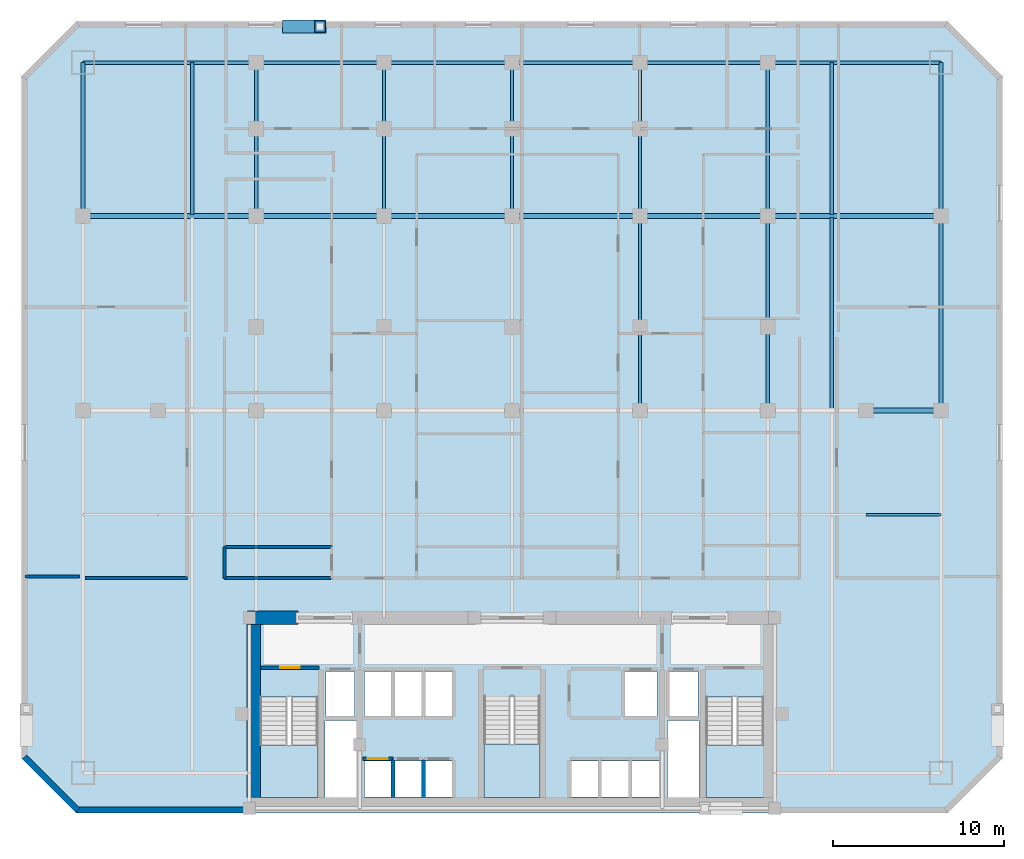
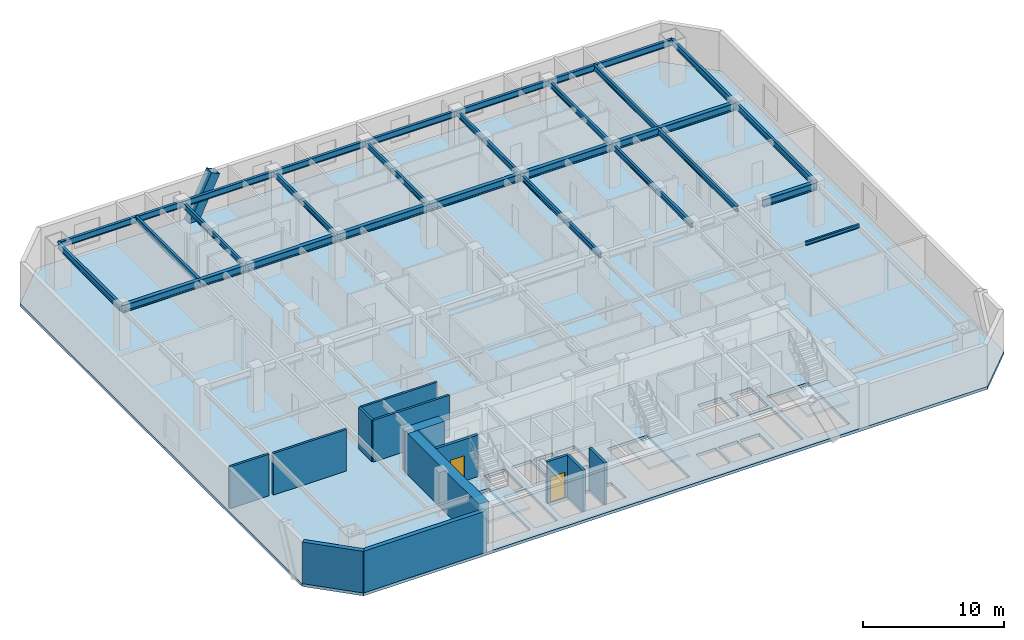
# One storey, part 2 of 8: 27 beams, 13 walls, 4 slabs, 2 doors, 1 member, 2 openings, 3 elements without a shape of their own.
"""IFC4 building model written with IfcOpenShell, lengths in metres."""

import ifcopenshell
import ifcopenshell.guid

model = None  # the IFC model being written
_history = None  # IfcOwnerHistory: only IFC2X3 demands one
_inside = {}  # id of a spatial element -> (the spatial element, [elements in it])
_under = {}  # id of a project, library or spatial element -> (it, [spatial elements below it])
_declared = {}  # id of a project -> (the project, [libraries it declares])
_typed = {}  # id of a type object -> (the type object, [elements of that type])
_made_of = {}  # id of a material, layer set ... -> (it, [elements and type objects made of it])


def new_model(schema):
    """Start an empty IFC model of exactly this schema.

    Asked for "IFC4X3", IfcOpenShell would pick the latest addendum, in which some entities
    have other attributes; the version numbers below select the first issue.
    IFC2X3 requires an IfcOwnerHistory on every rooted entity: one is made here for all.
    """
    global model, _history
    if schema == "IFC4X3":
        model = ifcopenshell.file(schema_version=(4, 3, 0, 0))
    else:
        model = ifcopenshell.file(schema=schema)
    _inside.clear()
    _under.clear()
    _declared.clear()
    _typed.clear()
    _made_of.clear()
    _history = None
    if model.schema == "IFC2X3":
        org = make("IfcOrganization", Name="unknown")
        user = make(
            "IfcPersonAndOrganization",
            ThePerson=make("IfcPerson", FamilyName="unknown"),
            TheOrganization=org,
        )
        app = make(
            "IfcApplication",
            ApplicationDeveloper=org,
            Version="unknown",
            ApplicationFullName="unknown",
            ApplicationIdentifier="unknown",
        )
        _history = make(
            "IfcOwnerHistory",
            OwningUser=user,
            OwningApplication=app,
            ChangeAction="ADDED",
            CreationDate=0,
        )
    return model


def make(cls, **values):
    """One entity of the class cls with the attributes given. An attribute that is None is left unset."""
    return model.create_entity(
        cls, **{name: value for name, value in values.items() if value is not None}
    )


def rooted(cls, **values):
    """An entity with a GlobalId (a new one), such as an element, a storey or a relation."""
    return make(cls, GlobalId=ifcopenshell.guid.new(), OwnerHistory=_history, **values)


def si_unit(unit_type, name, prefix=None):
    """IfcSIUnit, for example si_unit("LENGTHUNIT", "METRE", prefix="MILLI")."""
    return make("IfcSIUnit", UnitType=unit_type, Prefix=prefix, Name=name)


def assignment(units):
    """IfcUnitAssignment: the units of a project."""
    return None if units is None else make("IfcUnitAssignment", Units=units)


def point(xyz):
    """IfcCartesianPoint."""
    return None if xyz is None else make("IfcCartesianPoint", Coordinates=xyz)


def direction(xyz):
    """IfcDirection."""
    return None if xyz is None else make("IfcDirection", DirectionRatios=xyz)


def frame(location, z_axis=None, x_axis=None):
    """IfcAxis2Placement3D, a coordinate frame: its origin and axes. An axis left out is left unset."""
    return make(
        "IfcAxis2Placement3D",
        Location=point(location),
        Axis=direction(z_axis),
        RefDirection=direction(x_axis),
    )


def frame_2d(location, x_axis=None):
    """IfcAxis2Placement2D, a coordinate frame in the plane: its origin and x axis."""
    return make(
        "IfcAxis2Placement2D", Location=point(location), RefDirection=direction(x_axis)
    )


def origin():
    """The frame at (0, 0, 0) with its axes left unset."""
    return frame((0.0, 0.0, 0.0))


def origin_2d():
    """The frame at (0, 0) in the plane with its x axis left unset."""
    return frame_2d((0.0, 0.0))


def place(relative_to, where):
    """IfcLocalPlacement: puts the frame where relative to a parent placement (None: the world)."""
    return make(
        "IfcLocalPlacement", PlacementRelTo=relative_to, RelativePlacement=where
    )


def context(
    kind, dimensions, precision=None, world=None, true_north=None, identifier=None
):
    """IfcGeometricRepresentationContext, for example the 3D "Model" context."""
    return make(
        "IfcGeometricRepresentationContext",
        ContextIdentifier=identifier,
        ContextType=kind,
        CoordinateSpaceDimension=dimensions,
        Precision=precision,
        WorldCoordinateSystem=world,
        TrueNorth=true_north,
    )


def subcontext(parent, identifier, kind, view, scale=None):
    """IfcGeometricRepresentationSubContext, for example "Body" below "Model"."""
    return make(
        "IfcGeometricRepresentationSubContext",
        ContextIdentifier=identifier,
        ContextType=kind,
        ParentContext=parent,
        TargetScale=scale,
        TargetView=view,
    )


def project(units=None, contexts=None):
    """IfcProject with its units and contexts."""
    return rooted(
        "IfcProject",
        Name="project",
        RepresentationContexts=contexts,
        UnitsInContext=assignment(units),
    )


def spatial(cls, under=None, at=None, **own):
    """A site, building, storey or space (cls), placed at a placement, below another one or the project."""
    s = rooted(cls, ObjectPlacement=at, **own)
    if under is not None:
        _under.setdefault(under.id(), (under, []))[1].append(s)
    return s


def polyline(points):
    """IfcPolyline through the points."""
    return make("IfcPolyline", Points=[point(p) for p in points])


def profile(cls, at=None, kind="AREA", **sizes):
    """A parametric profile (cls). Its sizes go by their IFC names, for example OverallWidth=200.0."""
    return make(cls, ProfileType=kind, Position=at, **sizes)


def rectangle(**sizes):
    """IfcRectangleProfileDef."""
    return profile("IfcRectangleProfileDef", **sizes)


def hollow_rectangle(**sizes):
    """IfcRectangleHollowProfileDef."""
    return profile("IfcRectangleHollowProfileDef", **sizes)


def i_section(**sizes):
    """IfcIShapeProfileDef."""
    return profile("IfcIShapeProfileDef", **sizes)


def outline(outer, holes=None, kind="AREA"):
    """IfcArbitraryClosedProfileDef: a profile drawn as a closed curve; with holes, ...WithVoids."""
    if holes is None:
        return make("IfcArbitraryClosedProfileDef", ProfileType=kind, OuterCurve=outer)
    return make(
        "IfcArbitraryProfileDefWithVoids",
        ProfileType=kind,
        OuterCurve=outer,
        InnerCurves=holes,
    )


def extrude(swept, where, along, depth):
    """IfcExtrudedAreaSolid: the profile swept, set in the frame where, extruded along a direction by depth."""
    return make(
        "IfcExtrudedAreaSolid",
        SweptArea=swept,
        Position=where,
        ExtrudedDirection=direction(along),
        Depth=depth,
    )


def shape(context_of_items, identifier, shape_type, items):
    """IfcShapeRepresentation: the items that make up one representation, for example the "Body"."""
    return make(
        "IfcShapeRepresentation",
        ContextOfItems=context_of_items,
        RepresentationIdentifier=identifier,
        RepresentationType=shape_type,
        Items=items,
    )


def material(Name=None, Category=None):
    """IfcMaterial."""
    return make("IfcMaterial", Name=Name, Category=Category)


def layer(
    of_material, thickness, ventilated=None, Name=None, Category=None, Priority=None
):
    """IfcMaterialLayer: one layer of a wall or slab, of a material (None: an air gap)."""
    return make(
        "IfcMaterialLayer",
        Material=of_material,
        LayerThickness=thickness,
        IsVentilated=ventilated,
        Name=Name,
        Category=Category,
        Priority=Priority,
    )


def layer_set(layers, Name=None):
    """IfcMaterialLayerSet."""
    return make("IfcMaterialLayerSet", MaterialLayers=layers, LayerSetName=Name)


def material_profile(
    of_material, cross_section, Name=None, Category=None, Priority=None
):
    """IfcMaterialProfile: a cross section and its material."""
    return make(
        "IfcMaterialProfile",
        Name=Name,
        Material=of_material,
        Profile=cross_section,
        Priority=Priority,
        Category=Category,
    )


def profile_set(profiles, Name=None, composite=None):
    """IfcMaterialProfileSet."""
    return make(
        "IfcMaterialProfileSet",
        Name=Name,
        MaterialProfiles=profiles,
        CompositeProfile=composite,
    )


def made_of(thing, what):
    """Note that an element or type object is made of a material, layer set ...; save() writes the relation."""
    if what is not None:
        _made_of.setdefault(what.id(), (what, []))[1].append(thing)
    return thing


def type_object(cls, material=None, **own):
    """A type object (cls), such as IfcWallType, which elements share."""
    return made_of(rooted(cls, **own), material)


def element(
    cls,
    number,
    at=None,
    inside=None,
    cuts=None,
    type_object=None,
    material=None,
    context=None,
    identifier="Body",
    shape_type=None,
    held_by="IfcProductDefinitionShape",
    body=None,
    shapes=None,
    **own,
):
    """One element of the class cls, such as IfcWall. Its Tag is "e" and its number.

    at: its placement. inside: the storey or other place that contains it. cuts: it is an
    opening in that element (IfcRelVoidsElement). A single representation is given by context,
    identifier, shape_type and body (its items); several are given by shapes. held_by: the class
    of the entity that holds the representations. save() writes the other relations.
    """
    e = rooted(cls, Tag="e%d" % number, ObjectPlacement=at, **own)
    if body is not None:
        shapes = [shape(context, identifier, shape_type, body)]
    if shapes is not None:
        e.Representation = make(held_by, Representations=shapes)
    if inside is not None:
        _inside.setdefault(inside.id(), (inside, []))[1].append(e)
    if cuts is not None:
        rooted(
            "IfcRelVoidsElement", RelatingBuildingElement=cuts, RelatedOpeningElement=e
        )
    if type_object is not None:
        _typed.setdefault(type_object.id(), (type_object, []))[1].append(e)
    return made_of(e, material)


def fill(opening, filler):
    """IfcRelFillsElement: the door or window that sits in an opening."""
    return rooted(
        "IfcRelFillsElement",
        RelatingOpeningElement=opening,
        RelatedBuildingElement=filler,
    )


def aggregate(whole, parts):
    """IfcRelAggregates: a whole, such as a stair, and the parts it consists of."""
    return rooted("IfcRelAggregates", RelatingObject=whole, RelatedObjects=parts)


def save(model, path):
    """Write the relations noted so far, then the file.

    IfcRelAggregates (storeys below a building ...), IfcRelContainedInSpatialStructure (elements
    in a storey), IfcRelDefinesByType, IfcRelAssociatesMaterial and IfcRelDeclares: one each for
    every whole, place, type object, material and project.
    """
    for whole, parts in _under.values():
        aggregate(whole, parts)
    for where, things in _inside.values():
        rooted(
            "IfcRelContainedInSpatialStructure",
            RelatedElements=things,
            RelatingStructure=where,
        )
    for kind, things in _typed.values():
        rooted("IfcRelDefinesByType", RelatedObjects=things, RelatingType=kind)
    for what, things in _made_of.values():
        rooted("IfcRelAssociatesMaterial", RelatedObjects=things, RelatingMaterial=what)
    for by, libraries in _declared.values():
        rooted("IfcRelDeclares", RelatingContext=by, RelatedDefinitions=libraries)
    model.write(path)


model = new_model("IFC4")

# Units and contexts
model_context = context("Model", 3, precision=1e-05, world=origin(), true_north=direction((0.0, 1.0)))
body_context = subcontext(model_context, "Body", "Model", "MODEL_VIEW")
ifc_project = project(units=[si_unit("LENGTHUNIT", "METRE"), si_unit("AREAUNIT", "SQUARE_METRE"), si_unit("VOLUMEUNIT", "CUBIC_METRE"), si_unit("PLANEANGLEUNIT", "RADIAN"), si_unit("MASSUNIT", "GRAM", prefix="KILO")], contexts=[model_context])

# Site, building, storey
site_placement = place(None, origin())
site = spatial("IfcSite", under=ifc_project, at=site_placement, CompositionType="ELEMENT")
building_placement = place(site_placement, origin())
building = spatial("IfcBuilding", under=site, at=building_placement, Name="Ventersveld Concourse Tower", CompositionType="ELEMENT")
storey_placement = place(building_placement, frame((0.0, 0.0, 33.64990234375)))
storey = spatial("IfcBuildingStorey", under=building, at=storey_placement, Name="L07", CompositionType="ELEMENT", Elevation=33.64990234375)

# Beams
ifc_material_1 = material(Name="Structural steel S355J2", Category="steel")
ifc_material_profile_1 = material_profile(ifc_material_1, i_section(OverallWidth=0.19140625, OverallDepth=0.4599609375, WebThickness=0.010009765625, FlangeThickness=0.01611328125, FilletRadius=0.01025390625, at=origin_2d()), Name="UB 457x191x82")
ifc_profile_set_1 = profile_set([ifc_material_profile_1], Name="Structural steel S355J2")
beam_type_1 = type_object("IfcBeamType", Name="BM-UB457H", PredefinedType="BEAM", material=ifc_profile_set_1)
beam_1_placement = place(storey_placement, frame((10.0, 35.094970703125, 3.3701171875), z_axis=(0.0, 1.0, 0.0), x_axis=(-1.0, 0.0, 0.0)))
element("IfcBeam", 1, at=beam_1_placement, inside=storey, type_object=beam_type_1, Name="L07 N-S Composite Floor Beam North X=10.00", PredefinedType="BEAM", context=body_context, shape_type="SweptSolid", body=[
    extrude(i_section(OverallWidth=0.19140625, OverallDepth=0.4599609375, WebThickness=0.010009765625, FlangeThickness=0.01611328125, FilletRadius=0.01025390625, at=origin_2d()), origin(), (0.0, 0.0, 1.0), 8.905029296875),
])
for number, where, z_axis, x_axis, name in (
    (2, (13.75, 35.0, 3.3701171875), (0.0, 1.0, 0.0), (-1.0, 0.0, 0.0), "L07 N-S Composite Floor Beam North X=13.75"),
    (3, (21.25, 35.0, 3.3701171875), (0.0, 1.0, 0.0), (-1.0, 0.0, 0.0), "L07 N-S Composite Floor Beam North X=21.25"),
    (4, (28.75, 35.0, 3.3701171875), (0.0, 1.0, 0.0), (-1.0, 0.0, 0.0), "L07 N-S Composite Floor Beam North X=28.75"),
):
    element("IfcBeam", number, at=place(storey_placement, frame(where, z_axis=z_axis, x_axis=x_axis)), inside=storey, type_object=beam_type_1, Name=name, PredefinedType="BEAM", context=body_context, shape_type="SweptSolid", body=[
        extrude(i_section(OverallWidth=0.19140625, OverallDepth=0.4599609375, WebThickness=0.010009765625, FlangeThickness=0.01611328125, FilletRadius=0.01025390625, at=origin_2d()), origin(), (0.0, 0.0, 1.0), 9.0),
    ])
beam_2_placement = place(storey_placement, frame((36.25, 23.60009765625, 3.3701171875), z_axis=(0.0, 1.0, 0.0), x_axis=(-1.0, 0.0, 0.0)))
element("IfcBeam", 5, at=beam_2_placement, inside=storey, type_object=beam_type_1, Name="L07 N-S Composite Floor Beam Mid X=36.25", PredefinedType="BEAM", context=body_context, shape_type="SweptSolid", body=[
    extrude(i_section(OverallWidth=0.19140625, OverallDepth=0.4599609375, WebThickness=0.010009765625, FlangeThickness=0.01611328125, FilletRadius=0.01025390625, at=origin_2d()), origin(), (0.0, 0.0, 1.0), 11.39990234375),
])
beam_3_placement = place(storey_placement, frame((36.25, 35.0, 3.3701171875), z_axis=(0.0, 1.0, 0.0), x_axis=(-1.0, 0.0, 0.0)))
element("IfcBeam", 6, at=beam_3_placement, inside=storey, type_object=beam_type_1, Name="L07 N-S Composite Floor Beam North X=36.25", PredefinedType="BEAM", context=body_context, shape_type="SweptSolid", body=[
    extrude(i_section(OverallWidth=0.19140625, OverallDepth=0.4599609375, WebThickness=0.010009765625, FlangeThickness=0.01611328125, FilletRadius=0.01025390625, at=origin_2d()), origin(), (0.0, 0.0, 1.0), 9.0),
])
beam_4_placement = place(storey_placement, frame((43.75, 23.60009765625, 3.3701171875), z_axis=(0.0, 1.0, 0.0), x_axis=(-1.0, 0.0, 0.0)))
element("IfcBeam", 7, at=beam_4_placement, inside=storey, type_object=beam_type_1, Name="L07 N-S Composite Floor Beam Mid X=43.75", PredefinedType="BEAM", context=body_context, shape_type="SweptSolid", body=[
    extrude(i_section(OverallWidth=0.19140625, OverallDepth=0.4599609375, WebThickness=0.010009765625, FlangeThickness=0.01611328125, FilletRadius=0.01025390625, at=origin_2d()), origin(), (0.0, 0.0, 1.0), 11.39990234375),
])
beam_5_placement = place(storey_placement, frame((43.75, 35.0, 3.3701171875), z_axis=(0.0, 1.0, 0.0), x_axis=(-1.0, 0.0, 0.0)))
element("IfcBeam", 8, at=beam_5_placement, inside=storey, type_object=beam_type_1, Name="L07 N-S Composite Floor Beam North X=43.75", PredefinedType="BEAM", context=body_context, shape_type="SweptSolid", body=[
    extrude(i_section(OverallWidth=0.19140625, OverallDepth=0.4599609375, WebThickness=0.010009765625, FlangeThickness=0.01611328125, FilletRadius=0.01025390625, at=origin_2d()), origin(), (0.0, 0.0, 1.0), 9.0),
])
beam_6_placement = place(storey_placement, frame((47.5, 23.695068359375, 3.3701171875), z_axis=(0.0, 1.0, 0.0), x_axis=(-1.0, 0.0, 0.0)))
element("IfcBeam", 9, at=beam_6_placement, inside=storey, type_object=beam_type_1, Name="L07 N-S Composite Floor Beam Mid X=47.50", PredefinedType="BEAM", context=body_context, shape_type="SweptSolid", body=[
    extrude(i_section(OverallWidth=0.19140625, OverallDepth=0.4599609375, WebThickness=0.010009765625, FlangeThickness=0.01611328125, FilletRadius=0.01025390625, at=origin_2d()), origin(), (0.0, 0.0, 1.0), 11.2099609375),
])
beam_7_placement = place(storey_placement, frame((47.5, 35.094970703125, 3.3701171875), z_axis=(0.0, 1.0, 0.0), x_axis=(-1.0, 0.0, 0.0)))
element("IfcBeam", 10, at=beam_7_placement, inside=storey, type_object=beam_type_1, Name="L07 N-S Composite Floor Beam North X=47.50", PredefinedType="BEAM", context=body_context, shape_type="SweptSolid", body=[
    extrude(i_section(OverallWidth=0.19140625, OverallDepth=0.4599609375, WebThickness=0.010009765625, FlangeThickness=0.01611328125, FilletRadius=0.01025390625, at=origin_2d()), origin(), (0.0, 0.0, 1.0), 8.905029296875),
])
ifc_material_profile_2 = material_profile(ifc_material_1, i_section(OverallWidth=0.311279296875, OverallDepth=0.6357421875, WebThickness=0.018310546875, FlangeThickness=0.031494140625, FilletRadius=0.0166015625, at=origin_2d()), Name="UB 610x305x238")
ifc_profile_set_2 = profile_set([ifc_material_profile_2], Name="Structural steel S355J2")
beam_type_2 = type_object("IfcBeamType", Name="GRD-UB610H", PredefinedType="USERDEFINED", material=ifc_profile_set_2)
beam_8_placement = place(storey_placement, frame((49.5, 23.60009765625, 3.2822265625), z_axis=(1.0, 0.0, 0.0), x_axis=(0.0, 1.0, 0.0)))
element("IfcBeam", 11, at=beam_8_placement, inside=storey, type_object=beam_type_2, Name="L07 Primary E-W Grid Girder Y=23.60 #8", ObjectType="GIRDER", PredefinedType="USERDEFINED", context=body_context, shape_type="SweptSolid", body=[
    extrude(i_section(OverallWidth=0.311279296875, OverallDepth=0.6357421875, WebThickness=0.018310546875, FlangeThickness=0.031494140625, FilletRadius=0.0166015625, at=origin_2d()), origin(), (0.0, 0.0, 1.0), 4.39990234375),
])
beam_9_placement = place(storey_placement, frame((3.60009765625, 35.0, 3.2822265625), z_axis=(1.0, 0.0, 0.0), x_axis=(0.0, 1.0, 0.0)))
element("IfcBeam", 12, at=beam_9_placement, inside=storey, type_object=beam_type_2, Name="L07 E-W Grid Girder Y=35.00 #1", ObjectType="GIRDER", PredefinedType="USERDEFINED", context=body_context, shape_type="SweptSolid", body=[
    extrude(i_section(OverallWidth=0.311279296875, OverallDepth=0.6357421875, WebThickness=0.018310546875, FlangeThickness=0.031494140625, FilletRadius=0.0166015625, at=origin_2d()), origin(), (0.0, 0.0, 1.0), 10.14990234375),
])
for number, where, z_axis, x_axis, name in (
    (13, (13.75, 35.0, 3.2822265625), (1.0, 0.0, 0.0), (0.0, 1.0, 0.0), "L07 E-W Grid Girder Y=35.00 #2"),
    (14, (21.25, 35.0, 3.2822265625), (1.0, 0.0, 0.0), (0.0, 1.0, 0.0), "L07 E-W Grid Girder Y=35.00 #3"),
    (15, (28.75, 35.0, 3.2822265625), (1.0, 0.0, 0.0), (0.0, 1.0, 0.0), "L07 E-W Grid Girder Y=35.00 #4"),
    (16, (36.25, 35.0, 3.2822265625), (1.0, 0.0, 0.0), (0.0, 1.0, 0.0), "L07 E-W Grid Girder Y=35.00 #5"),
):
    element("IfcBeam", number, at=place(storey_placement, frame(where, z_axis=z_axis, x_axis=x_axis)), inside=storey, type_object=beam_type_2, Name=name, ObjectType="GIRDER", PredefinedType="USERDEFINED", context=body_context, shape_type="SweptSolid", body=[
        extrude(i_section(OverallWidth=0.311279296875, OverallDepth=0.6357421875, WebThickness=0.018310546875, FlangeThickness=0.031494140625, FilletRadius=0.0166015625, at=origin_2d()), origin(), (0.0, 0.0, 1.0), 7.5),
    ])
beam_10_placement = place(storey_placement, frame((43.75, 35.0, 3.2822265625), z_axis=(1.0, 0.0, 0.0), x_axis=(0.0, 1.0, 0.0)))
element("IfcBeam", 17, at=beam_10_placement, inside=storey, type_object=beam_type_2, Name="L07 E-W Grid Girder Y=35.00 #6", ObjectType="GIRDER", PredefinedType="USERDEFINED", context=body_context, shape_type="SweptSolid", body=[
    extrude(i_section(OverallWidth=0.311279296875, OverallDepth=0.6357421875, WebThickness=0.018310546875, FlangeThickness=0.031494140625, FilletRadius=0.0166015625, at=origin_2d()), origin(), (0.0, 0.0, 1.0), 10.14990234375),
])
ifc_material_profile_3 = material_profile(ifc_material_1, i_section(OverallWidth=0.14990234375, OverallDepth=0.300048828125, WebThickness=0.007080078125, FlangeThickness=0.0107421875, FilletRadius=0.014892578125, at=origin_2d()), Name="IPE 300")
ifc_profile_set_3 = profile_set([ifc_material_profile_3], Name="Structural steel S355J2")
beam_type_3 = type_object("IfcBeamType", Name="JST-IPE300", PredefinedType="JOIST", material=ifc_profile_set_3)
beam_11_placement = place(storey_placement, frame((49.5, 17.5, 3.4501953125), z_axis=(1.0, 0.0, 0.0), x_axis=(0.0, 1.0, 0.0)))
element("IfcBeam", 18, at=beam_11_placement, inside=storey, type_object=beam_type_3, Name="L07 Secondary E-W Floor Joist Y=17.50 #8", PredefinedType="JOIST", context=body_context, shape_type="SweptSolid", body=[
    extrude(i_section(OverallWidth=0.14990234375, OverallDepth=0.300048828125, WebThickness=0.007080078125, FlangeThickness=0.0107421875, FilletRadius=0.014892578125, at=origin_2d()), origin(), (0.0, 0.0, 1.0), 4.39990234375),
])

# Member
ifc_material_2 = material(Name="Structural steel S355ML", Category="steel")
ifc_material_profile_4 = material_profile(ifc_material_2, hollow_rectangle(XDim=0.75, YDim=0.75, WallThickness=0.044921875, at=origin_2d()), Name="BOX 750x750x45")
ifc_profile_set_4 = profile_set([ifc_material_profile_4], Name="Structural steel S355ML")
member_type = type_object("IfcMemberType", Name="MB-750x750", PredefinedType="BRACE", material=ifc_profile_set_4)
member_placement = place(storey_placement, frame((15.625, 46.1201171875, -0.25), z_axis=(0.437839464193, 0.0, 0.899053170616), x_axis=(0.0, 1.0, 0.0)))
element("IfcMember", 19, at=member_placement, inside=storey, type_object=member_type, Name="L07 Exterior Mega-Brace N (Module M01)", PredefinedType="BRACE", context=body_context, shape_type="SweptSolid", body=[
    extrude(hollow_rectangle(XDim=0.75, YDim=0.75, WallThickness=0.044921875, at=origin_2d()), origin(), (0.0, 0.0, 1.0), 4.282470703125),
])

# Beams
ifc_material_profile_5 = material_profile(ifc_material_1, i_section(OverallWidth=0.2119140625, OverallDepth=0.54443359375, WebThickness=0.0126953125, FlangeThickness=0.021240234375, FilletRadius=0.0126953125, at=origin_2d()), Name="UB 533x210x122")
ifc_profile_set_5 = profile_set([ifc_material_profile_5], Name="Structural steel S355J2")
beam_type_4 = type_object("IfcBeamType", Name="SPD-UB533", PredefinedType="SPANDREL", material=ifc_profile_set_5)
beam_12_placement = place(storey_placement, frame((3.60009765625, 35.0, 3.327880859375), z_axis=(0.0, 1.0, 0.0), x_axis=(-1.0, 0.0, 0.0)))
element("IfcBeam", 20, at=beam_12_placement, inside=storey, type_object=beam_type_4, Name="L07 West Spandrel Beam N", PredefinedType="SPANDREL", context=body_context, shape_type="SweptSolid", body=[
    extrude(i_section(OverallWidth=0.2119140625, OverallDepth=0.54443359375, WebThickness=0.0126953125, FlangeThickness=0.021240234375, FilletRadius=0.0126953125, at=origin_2d()), origin(), (0.0, 0.0, 1.0), 9.0),
])
beam_13_placement = place(storey_placement, frame((53.89990234375, 23.60009765625, 3.327880859375), z_axis=(0.0, 1.0, 0.0), x_axis=(-1.0, 0.0, 0.0)))
element("IfcBeam", 21, at=beam_13_placement, inside=storey, type_object=beam_type_4, Name="L07 East Spandrel Beam M", PredefinedType="SPANDREL", context=body_context, shape_type="SweptSolid", body=[
    extrude(i_section(OverallWidth=0.2119140625, OverallDepth=0.54443359375, WebThickness=0.0126953125, FlangeThickness=0.021240234375, FilletRadius=0.0126953125, at=origin_2d()), origin(), (0.0, 0.0, 1.0), 11.39990234375),
])
beam_14_placement = place(storey_placement, frame((53.89990234375, 35.0, 3.327880859375), z_axis=(0.0, 1.0, 0.0), x_axis=(-1.0, 0.0, 0.0)))
element("IfcBeam", 22, at=beam_14_placement, inside=storey, type_object=beam_type_4, Name="L07 East Spandrel Beam N", PredefinedType="SPANDREL", context=body_context, shape_type="SweptSolid", body=[
    extrude(i_section(OverallWidth=0.2119140625, OverallDepth=0.54443359375, WebThickness=0.0126953125, FlangeThickness=0.021240234375, FilletRadius=0.0126953125, at=origin_2d()), origin(), (0.0, 0.0, 1.0), 9.0),
])
beam_15_placement = place(storey_placement, frame((3.60009765625, 44.0, 3.327880859375), z_axis=(1.0, 0.0, 0.0), x_axis=(0.0, 1.0, 0.0)))
element("IfcBeam", 23, at=beam_15_placement, inside=storey, type_object=beam_type_4, Name="L07 North Spandrel Girder Y=44.00 #1", PredefinedType="SPANDREL", context=body_context, shape_type="SweptSolid", body=[
    extrude(i_section(OverallWidth=0.2119140625, OverallDepth=0.54443359375, WebThickness=0.0126953125, FlangeThickness=0.021240234375, FilletRadius=0.0126953125, at=origin_2d()), origin(), (0.0, 0.0, 1.0), 10.14990234375),
])
for number, where, z_axis, x_axis, name in (
    (24, (13.75, 44.0, 3.327880859375), (1.0, 0.0, 0.0), (0.0, 1.0, 0.0), "L07 North Spandrel Girder Y=44.00 #2"),
    (25, (21.25, 44.0, 3.327880859375), (1.0, 0.0, 0.0), (0.0, 1.0, 0.0), "L07 North Spandrel Girder Y=44.00 #3"),
    (26, (28.75, 44.0, 3.327880859375), (1.0, 0.0, 0.0), (0.0, 1.0, 0.0), "L07 North Spandrel Girder Y=44.00 #4"),
    (27, (36.25, 44.0, 3.327880859375), (1.0, 0.0, 0.0), (0.0, 1.0, 0.0), "L07 North Spandrel Girder Y=44.00 #5"),
):
    element("IfcBeam", number, at=place(storey_placement, frame(where, z_axis=z_axis, x_axis=x_axis)), inside=storey, type_object=beam_type_4, Name=name, PredefinedType="SPANDREL", context=body_context, shape_type="SweptSolid", body=[
        extrude(i_section(OverallWidth=0.2119140625, OverallDepth=0.54443359375, WebThickness=0.0126953125, FlangeThickness=0.021240234375, FilletRadius=0.0126953125, at=origin_2d()), origin(), (0.0, 0.0, 1.0), 7.5),
    ])
beam_16_placement = place(storey_placement, frame((43.75, 44.0, 3.327880859375), z_axis=(1.0, 0.0, 0.0), x_axis=(0.0, 1.0, 0.0)))
element("IfcBeam", 28, at=beam_16_placement, inside=storey, type_object=beam_type_4, Name="L07 North Spandrel Girder Y=44.00 #6", PredefinedType="SPANDREL", context=body_context, shape_type="SweptSolid", body=[
    extrude(i_section(OverallWidth=0.2119140625, OverallDepth=0.54443359375, WebThickness=0.0126953125, FlangeThickness=0.021240234375, FilletRadius=0.0126953125, at=origin_2d()), origin(), (0.0, 0.0, 1.0), 10.14990234375),
])

# Slab
ifc_material_3 = material(Name="Concrete C50/60", Category="concrete")
ifc_layer_1 = layer(ifc_material_3, 0.25)
ifc_layer_set_1 = layer_set([ifc_layer_1], Name="Concrete C50/60")
slab_type_1 = type_object("IfcSlabType", Name="SL-FLR-250", PredefinedType="FLOOR", material=ifc_layer_set_1)
slab_1_placement = place(storey_placement, frame((0.0, 0.0, -0.25)))
element("IfcSlab", 29, at=slab_1_placement, inside=storey, type_object=slab_type_1, Name="L07 Composite Floor Slab", PredefinedType="FLOOR", context=body_context, shape_type="SweptSolid", body=[
    extrude(outline(polyline([(3.199951171875, 0.0), (54.300048828125, 0.0), (57.5, 3.199951171875), (57.5, 43.199951171875), (54.300048828125, 46.39990234375), (3.199951171875, 46.39990234375), (0.0, 43.199951171875), (0.0, 3.199951171875), (3.199951171875, 0.0)]), holes=[polyline([(13.97998046875, 6.794921875), (13.97998046875, 0.89990234375), (17.3798828125, 0.89990234375), (17.3798828125, 6.794921875), (13.97998046875, 6.794921875)]), polyline([(40.1201171875, 6.794921875), (40.1201171875, 0.89990234375), (43.52001953125, 0.89990234375), (43.52001953125, 6.794921875), (40.1201171875, 6.794921875)]), polyline([(27.10009765625, 6.844970703125), (27.10009765625, 0.89990234375), (30.39990234375, 0.89990234375), (30.39990234375, 6.844970703125), (27.10009765625, 6.844970703125)]), polyline([(17.85009765625, 5.699951171875), (19.530029296875, 5.699951171875), (19.530029296875, 8.300048828125), (17.85009765625, 8.300048828125), (17.85009765625, 5.699951171875)]), polyline([(37.969970703125, 5.699951171875), (39.64990234375, 5.699951171875), (39.64990234375, 8.300048828125), (37.969970703125, 8.300048828125), (37.969970703125, 5.699951171875)]), polyline([(35.35009765625, 5.699951171875), (37.25, 5.699951171875), (37.25, 8.300048828125), (35.35009765625, 8.300048828125), (35.35009765625, 5.699951171875)]), polyline([(20.090087890625, 0.949951171875), (21.68994140625, 0.949951171875), (21.68994140625, 3.050048828125), (20.090087890625, 3.050048828125), (20.090087890625, 0.949951171875)]), polyline([(21.8701171875, 0.949951171875), (23.469970703125, 0.949951171875), (23.469970703125, 3.050048828125), (21.8701171875, 3.050048828125), (21.8701171875, 0.949951171875)]), polyline([(23.64990234375, 0.949951171875), (25.25, 0.949951171875), (25.25, 3.050048828125), (23.64990234375, 3.050048828125), (23.64990234375, 0.949951171875)]), polyline([(32.2099609375, 0.949951171875), (33.81005859375, 0.949951171875), (33.81005859375, 3.050048828125), (32.2099609375, 3.050048828125), (32.2099609375, 0.949951171875)]), polyline([(33.989990234375, 0.949951171875), (35.590087890625, 0.949951171875), (35.590087890625, 3.050048828125), (33.989990234375, 3.050048828125), (33.989990234375, 0.949951171875)]), polyline([(35.77001953125, 0.949951171875), (37.3701171875, 0.949951171875), (37.3701171875, 3.050048828125), (35.77001953125, 3.050048828125), (35.77001953125, 0.949951171875)]), polyline([(20.090087890625, 5.699951171875), (21.68994140625, 5.699951171875), (21.68994140625, 8.300048828125), (20.090087890625, 8.300048828125), (20.090087890625, 5.699951171875)]), polyline([(21.8701171875, 5.699951171875), (23.469970703125, 5.699951171875), (23.469970703125, 8.300048828125), (21.8701171875, 8.300048828125), (21.8701171875, 5.699951171875)]), polyline([(23.64990234375, 5.699951171875), (25.25, 5.699951171875), (25.25, 8.300048828125), (23.64990234375, 8.300048828125), (23.64990234375, 5.699951171875)]), polyline([(17.780029296875, 0.919921875), (19.6201171875, 0.919921875), (19.6201171875, 5.419921875), (17.780029296875, 5.419921875), (17.780029296875, 0.919921875)]), polyline([(37.8798828125, 0.919921875), (39.719970703125, 0.919921875), (39.719970703125, 5.419921875), (37.8798828125, 5.419921875), (37.8798828125, 0.919921875)])]), origin(), (0.0, 0.0, 1.0), 0.25),
])

# Stair, slab
stair_type_1 = type_object("IfcStairType", Name="ST-DOG-160", PredefinedType="HALF_TURN_STAIR", material=ifc_material_3)
stair_1_placement = place(storey_placement, origin())
stair_1 = element("IfcStair", 30, at=stair_1_placement, inside=storey, type_object=stair_type_1, Name="L07 Protected Tower Escape Stair ST-01", PredefinedType="HALF_TURN_STAIR")
ifc_layer_2 = layer(ifc_material_3, 0.199951171875)
ifc_layer_set_2 = layer_set([ifc_layer_2], Name="Concrete C50/60")
slab_type_2 = type_object("IfcSlabType", Name="SL-LND-200", PredefinedType="LANDING", material=ifc_layer_set_2)
slab_2_placement = place(storey_placement, frame((0.0, 0.0, 1.72509765625)))
slab_2 = element("IfcSlab", 31, at=slab_2_placement, type_object=slab_type_2, Name="ST-01 landing 1", PredefinedType="LANDING", context=body_context, shape_type="SweptSolid", body=[
    extrude(outline(polyline([(13.97998046875, 4.0), (13.97998046875, 0.89990234375), (17.3798828125, 0.89990234375), (17.3798828125, 4.0), (13.97998046875, 4.0)])), origin(), (0.0, 0.0, 1.0), 0.199951171875),
])
aggregate(stair_1, [slab_2])

stair_2_placement = place(storey_placement, origin())
stair_2 = element("IfcStair", 32, at=stair_2_placement, inside=storey, type_object=stair_type_1, Name="L07 Protected Tower Escape Stair ST-02", PredefinedType="HALF_TURN_STAIR")
slab_3_placement = place(storey_placement, frame((0.0, 0.0, 1.72509765625)))
slab_3 = element("IfcSlab", 33, at=slab_3_placement, type_object=slab_type_2, Name="ST-02 landing 1", PredefinedType="LANDING", context=body_context, shape_type="SweptSolid", body=[
    extrude(outline(polyline([(40.1201171875, 4.0), (40.1201171875, 0.89990234375), (43.52001953125, 0.89990234375), (43.52001953125, 4.0), (40.1201171875, 4.0)])), origin(), (0.0, 0.0, 1.0), 0.199951171875),
])
aggregate(stair_2, [slab_3])

stair_type_2 = type_object("IfcStairType", Name="ST-DOG-155", PredefinedType="HALF_TURN_STAIR", material=ifc_material_3)
stair_3_placement = place(storey_placement, origin())
stair_3 = element("IfcStair", 34, at=stair_3_placement, inside=storey, type_object=stair_type_2, Name="L07 Protected Central Core Escape Stair ST-03", PredefinedType="HALF_TURN_STAIR")
slab_4_placement = place(storey_placement, frame((0.0, 0.0, 1.72509765625)))
slab_4 = element("IfcSlab", 35, at=slab_4_placement, type_object=slab_type_2, Name="ST-03 landing 1", PredefinedType="LANDING", context=body_context, shape_type="SweptSolid", body=[
    extrude(outline(polyline([(27.10009765625, 4.050048828125), (27.10009765625, 0.89990234375), (30.39990234375, 0.89990234375), (30.39990234375, 4.050048828125), (27.10009765625, 4.050048828125)])), origin(), (0.0, 0.0, 1.0), 0.199951171875),
])
aggregate(stair_3, [slab_4])

# Walls
ifc_material_4 = material(Name="Concrete C60/75", Category="concrete")
ifc_layer_3 = layer(ifc_material_4, 0.800048828125)
ifc_layer_set_3 = layer_set([ifc_layer_3], Name="Concrete C60/75")
wall_type_1 = type_object("IfcWallType", Name="WL-CORE-800", PredefinedType="SHEAR", material=ifc_layer_set_3)
wall_1_placement = place(storey_placement, frame((13.60009765625, 0.919921875, 0.0), z_axis=(0.0, 0.0, 1.0), x_axis=(0.0, 1.0, 0.0)))
element("IfcWall", 36, at=wall_1_placement, inside=storey, type_object=wall_type_1, Name="L07 Rear Core West Shear Wall", PredefinedType="SHEAR", context=body_context, shape_type="SweptSolid", body=[
    extrude(rectangle(XDim=10.530029296875, YDim=0.800048828125, at=frame_2d((5.26513671875, 0.0))), origin(), (0.0, 0.0, 1.0), 3.60009765625),
])
wall_2_placement = place(storey_placement, frame((13.25, 11.449951171875, 0.0), z_axis=(0.0, 0.0, 1.0), x_axis=(1.0, 0.0, 0.0)))
element("IfcWall", 37, at=wall_2_placement, inside=storey, type_object=wall_type_1, Name="L07 Rear Core North Shear Wall NW", PredefinedType="SHEAR", context=body_context, shape_type="SweptSolid", body=[
    extrude(rectangle(XDim=2.949951171875, YDim=0.800048828125, at=frame_2d((1.47509765625, 0.0))), origin(), (0.0, 0.0, 1.0), 3.60009765625),
])
ifc_material_5 = material(Name="Fire-rated autoclaved aerated masonry blockwork", Category="masonry")
ifc_layer_4 = layer(ifc_material_5, 0.179931640625)
ifc_layer_set_4 = layer_set([ifc_layer_4], Name="Fire-rated autoclaved aerated masonry blockwork")
wall_type_2 = type_object("IfcWallType", Name="WL-CORR-180", PredefinedType="PARTITIONING", material=ifc_layer_set_4)
wall_3_placement = place(storey_placement, frame((3.705078125, 13.77001953125, 0.0), z_axis=(0.0, 0.0, 1.0), x_axis=(1.0, 0.0, 0.0)))
element("IfcWall", 38, at=wall_3_placement, inside=storey, type_object=wall_type_2, Name="L07 Interior Partition SP-L07-COR-SP-L07-NWLNG1", PredefinedType="PARTITIONING", context=body_context, shape_type="SweptSolid", body=[
    extrude(rectangle(XDim=6.010009765625, YDim=0.179931640625, at=frame_2d((3.0048828125, 0.0))), origin(), (0.0, 0.0, 1.0), 3.60009765625),
])
wall_4_placement = place(storey_placement, frame((11.885009765625, 13.77001953125, 0.0), z_axis=(0.0, 0.0, 1.0), x_axis=(1.0, 0.0, 0.0)))
element("IfcWall", 39, at=wall_4_placement, inside=storey, type_object=wall_type_2, Name="L07 Interior Partition SP-L07-COR-SP-L07-07N1-BATH", PredefinedType="PARTITIONING", context=body_context, shape_type="SweptSolid", body=[
    extrude(rectangle(XDim=6.263671875, YDim=0.179931640625, at=frame_2d((3.1318359375, 0.0))), origin(), (0.0, 0.0, 1.0), 3.60009765625),
])
wall_5_placement = place(storey_placement, frame((11.889892578125, 13.764892578125, 0.0), z_axis=(0.0, 0.0, 1.0), x_axis=(0.0, 1.0, 0.0)))
element("IfcWall", 40, at=wall_5_placement, inside=storey, type_object=wall_type_2, Name="L07 Interior Partition SP-L07-COR-SP-L07-07N1-BATH", PredefinedType="PARTITIONING", context=body_context, shape_type="SweptSolid", body=[
    extrude(rectangle(XDim=1.840087890625, YDim=0.179931640625, at=frame_2d((0.919921875, 0.0))), origin(), (0.0, 0.0, 1.0), 3.60009765625),
])
wall_6_placement = place(storey_placement, frame((3.39013671875, 13.860107421875, 0.0), z_axis=(0.0, 0.0, 1.0), x_axis=(-1.0, 0.0, 0.0)))
element("IfcWall", 41, at=wall_6_placement, inside=storey, type_object=wall_type_2, Name="L07 Room Enclosure Wall SP-L07-NWLNG1", PredefinedType="PARTITIONING", context=body_context, shape_type="SweptSolid", body=[
    extrude(rectangle(XDim=3.18017578125, YDim=0.179931640625, at=frame_2d((1.590087890625, 0.0))), origin(), (0.0, 0.0, 1.0), 3.60009765625),
])
ifc_layer_5 = layer(ifc_material_5, 0.219970703125)
ifc_layer_set_5 = layer_set([ifc_layer_5], Name="Fire-rated autoclaved aerated masonry blockwork")
wall_type_3 = type_object("IfcWallType", Name="WL-HOIST-220", PredefinedType="SOLIDWALL", material=ifc_layer_set_5)
wall_7_placement = place(storey_placement, frame((21.780029296875, 0.89990234375, 0.0), z_axis=(0.0, 0.0, 1.0), x_axis=(0.0, 1.0, 0.0)))
element("IfcWall", 42, at=wall_7_placement, inside=storey, type_object=wall_type_3, Name="L07 Lift Hoistway Side Wall PL-01E", PredefinedType="SOLIDWALL", context=body_context, shape_type="SweptSolid", body=[
    extrude(rectangle(XDim=2.2001953125, YDim=0.219970703125, at=frame_2d((1.10009765625, 0.0))), origin(), (0.0, 0.0, 1.0), 3.60009765625),
])

# Wall, opening, door
wall_8_placement = place(storey_placement, frame((20.02001953125, 3.179931640625, 0.0), z_axis=(0.0, 0.0, 1.0), x_axis=(1.0, 0.0, 0.0)))
wall_8 = element("IfcWall", 43, at=wall_8_placement, inside=storey, type_object=wall_type_3, Name="L07 Lift Hoistway Front Wall PL-01", PredefinedType="SOLIDWALL", context=body_context, shape_type="SweptSolid", body=[
    extrude(rectangle(XDim=1.739990234375, YDim=0.219970703125, at=frame_2d((0.8701171875, 0.0))), origin(), (0.0, 0.0, 1.0), 3.60009765625),
])
opening_1_placement = place(wall_8_placement, frame((0.280029296875, 0.0, 0.0)))
opening_1 = element("IfcOpeningElement", 44, at=opening_1_placement, cuts=wall_8, Name="Opening LD2", PredefinedType="OPENING", context=body_context, shape_type="SweptSolid", body=[
    extrude(rectangle(XDim=1.179931640625, YDim=2.199951171875, at=frame_2d((0.58984375, 1.10009765625))), frame((0.0, 0.1201171875, 0.0), z_axis=(0.0, -1.0, 0.0), x_axis=(1.0, 0.0, 0.0)), (0.0, 0.0, 1.0), 0.239990234375),
])
ifc_material_6 = material(Name="Brushed stainless steel 316", Category="steel")
door_type_1 = type_object("IfcDoorType", Name="LD-PAX-118", OperationType="SLIDING_TO_LEFT", PredefinedType="DOOR", material=ifc_material_6)
door_1_placement = place(opening_1_placement, origin())
door_1 = element("IfcDoor", 45, at=door_1_placement, inside=storey, type_object=door_type_1, Name="L07 Lift landing door PL-01 (LD-L07-PL-01)", OperationType="SLIDING_TO_RIGHT", OverallHeight=2.199951171875, OverallWidth=1.179931640625, PredefinedType="DOOR", context=body_context, shape_type="SweptSolid", body=[
    extrude(rectangle(XDim=1.179931640625, YDim=2.199951171875, at=frame_2d((0.58984375, 1.10009765625))), frame((0.0, 0.02490234375, 0.0), z_axis=(0.0, -1.0, 0.0), x_axis=(1.0, 0.0, 0.0)), (0.0, 0.0, 1.0), 0.050048828125),
])
fill(opening_1, door_1)

# Wall
wall_9_placement = place(storey_placement, frame((23.56005859375, 0.89990234375, 0.0), z_axis=(0.0, 0.0, 1.0), x_axis=(0.0, 1.0, 0.0)))
element("IfcWall", 46, at=wall_9_placement, inside=storey, type_object=wall_type_3, Name="L07 Lift Hoistway Side Wall PL-02E", PredefinedType="SOLIDWALL", context=body_context, shape_type="SweptSolid", body=[
    extrude(rectangle(XDim=2.2001953125, YDim=0.219970703125, at=frame_2d((1.10009765625, 0.0))), origin(), (0.0, 0.0, 1.0), 3.60009765625),
])

# Wall, opening, door
wall_10_placement = place(storey_placement, frame((14.0400390625, 8.52001953125, 0.0), z_axis=(0.0, 0.0, 1.0), x_axis=(1.0, 0.0, 0.0)))
wall_10 = element("IfcWall", 47, at=wall_10_placement, inside=storey, type_object=wall_type_3, Name="L07 Escape Stair ST01 Fire Wall", PredefinedType="SOLIDWALL", context=body_context, shape_type="SweptSolid", body=[
    extrude(rectangle(XDim=3.39990234375, YDim=0.219970703125, at=frame_2d((1.699951171875, 0.0))), origin(), (0.0, 0.0, 1.0), 3.60009765625),
])
opening_2_placement = place(wall_10_placement, frame((1.125, 0.0, 0.0)))
opening_2 = element("IfcOpeningElement", 48, at=opening_2_placement, cuts=wall_10, Name="Opening FD1", PredefinedType="OPENING", context=body_context, shape_type="SweptSolid", body=[
    extrude(rectangle(XDim=1.14990234375, YDim=2.199951171875, at=frame_2d((0.574951171875, 1.10009765625))), frame((0.0, 0.1201171875, 0.0), z_axis=(0.0, -1.0, 0.0), x_axis=(1.0, 0.0, 0.0)), (0.0, 0.0, 1.0), 0.239990234375),
])
ifc_material_7 = material(Name="Galvanised painted steel", Category="steel")
door_type_2 = type_object("IfcDoorType", Name="DR-STAIR-115", OperationType="NOTDEFINED", PredefinedType="DOOR", material=ifc_material_7)
door_2_placement = place(opening_2_placement, origin())
door_2 = element("IfcDoor", 49, at=door_2_placement, inside=storey, type_object=door_type_2, Name="L07 Escape Stair Door ST01 (SD-L07-0217)", OperationType="SINGLE_SWING_LEFT", OverallHeight=2.199951171875, OverallWidth=1.14990234375, PredefinedType="DOOR", context=body_context, shape_type="SweptSolid", body=[
    extrude(rectangle(XDim=1.14990234375, YDim=2.199951171875, at=frame_2d((0.574951171875, 1.10009765625))), frame((0.0, 0.02490234375, 0.0), z_axis=(0.0, -1.0, 0.0), x_axis=(1.0, 0.0, 0.0)), (0.0, 0.0, 1.0), 0.050048828125),
])
fill(opening_2, door_2)

# Walls
ifc_material_8 = material(Name="Precast concrete C45/55", Category="concrete")
ifc_layer_6 = layer(ifc_material_8, 0.35009765625)
ifc_layer_set_6 = layer_set([ifc_layer_6], Name="Precast concrete C45/55")
wall_type_4 = type_object("IfcWallType", Name="WL-PREC-350", PredefinedType="SOLIDWALL", material=ifc_layer_set_6)
wall_11_placement = place(storey_placement, frame((3.239990234375, 0.179931640625, 0.0), z_axis=(0.0, 0.0, 1.0), x_axis=(1.0, 0.0, 0.0)))
element("IfcWall", 50, at=wall_11_placement, inside=storey, type_object=wall_type_4, Name="L07 South-West Flank Precast Wall", PredefinedType="SOLIDWALL", context=body_context, shape_type="SweptSolid", body=[
    extrude(rectangle(XDim=10.010009765625, YDim=0.35009765625, at=frame_2d((5.0048828125, 0.0))), origin(), (0.0, 0.0, 1.0), 3.60009765625),
])
wall_12_placement = place(storey_placement, frame((0.152099609375, 3.29541015625, 0.0), z_axis=(0.0, 0.0, 1.0), x_axis=(0.707106781187, -0.707106781187, 0.0)))
element("IfcWall", 51, at=wall_12_placement, inside=storey, type_object=wall_type_4, Name="L07 Highveld Precast Facade Wall E08", PredefinedType="SOLIDWALL", context=body_context, shape_type="SweptSolid", body=[
    extrude(rectangle(XDim=4.4453125, YDim=0.35009765625, at=frame_2d((2.22265625, 0.0))), origin(), (0.0, 0.0, 1.0), 3.60009765625),
])
ifc_material_9 = material(Name="Autoclaved aerated masonry blockwork", Category="masonry")
ifc_layer_7 = layer(ifc_material_9, 0.1650390625)
ifc_layer_set_7 = layer_set([ifc_layer_7], Name="Autoclaved aerated masonry blockwork")
wall_type_5 = type_object("IfcWallType", Name="WL-WET-165", PredefinedType="PLUMBINGWALL", material=ifc_layer_set_7)
wall_13_placement = place(storey_placement, frame((11.885009765625, 15.60009765625, 0.0), z_axis=(0.0, 0.0, 1.0), x_axis=(1.0, 0.0, 0.0)))
element("IfcWall", 52, at=wall_13_placement, inside=storey, type_object=wall_type_5, Name="L07 Interior Partition SP-L07-07N1-BATH-SP-L07-07N1-DENL", PredefinedType="PLUMBINGWALL", context=body_context, shape_type="SweptSolid", body=[
    extrude(rectangle(XDim=6.3037109375, YDim=0.1650390625, at=frame_2d((3.15185546875, 0.0))), origin(), (0.0, 0.0, 1.0), 3.60009765625),
])

save(model, "model.ifc")
